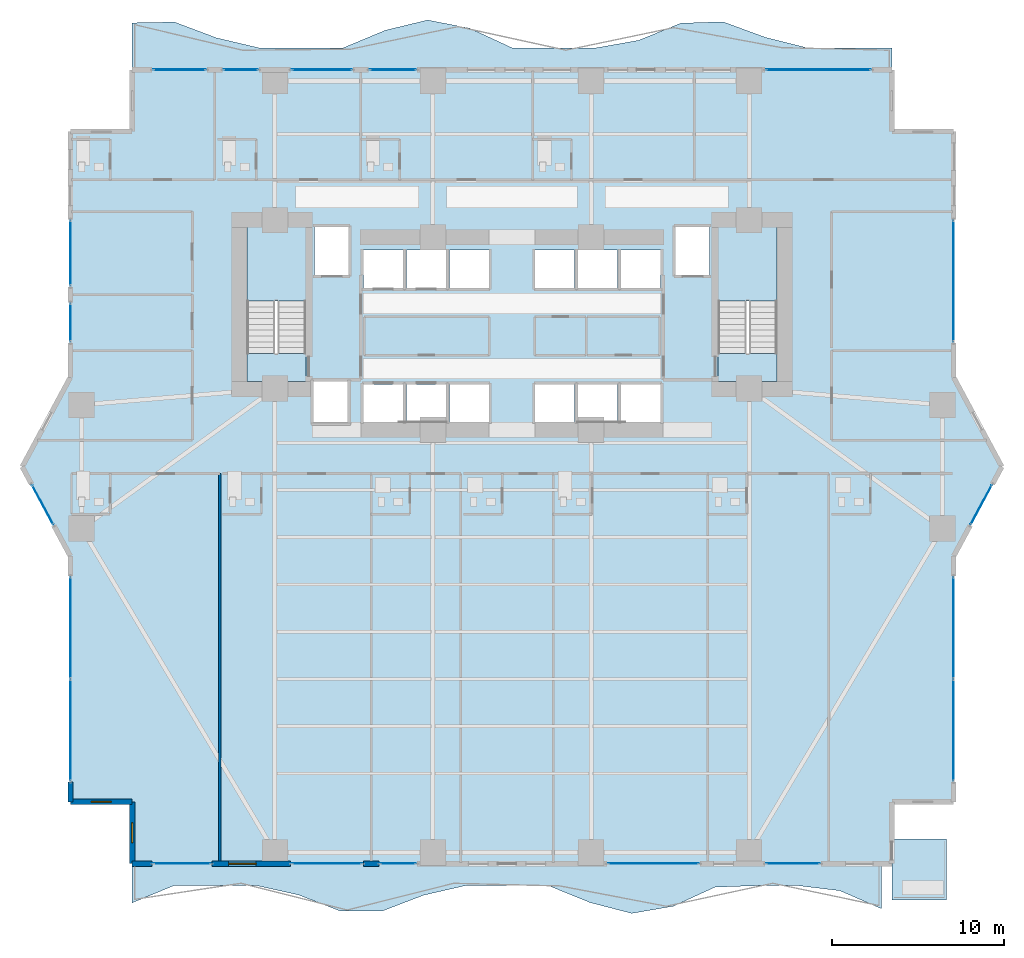
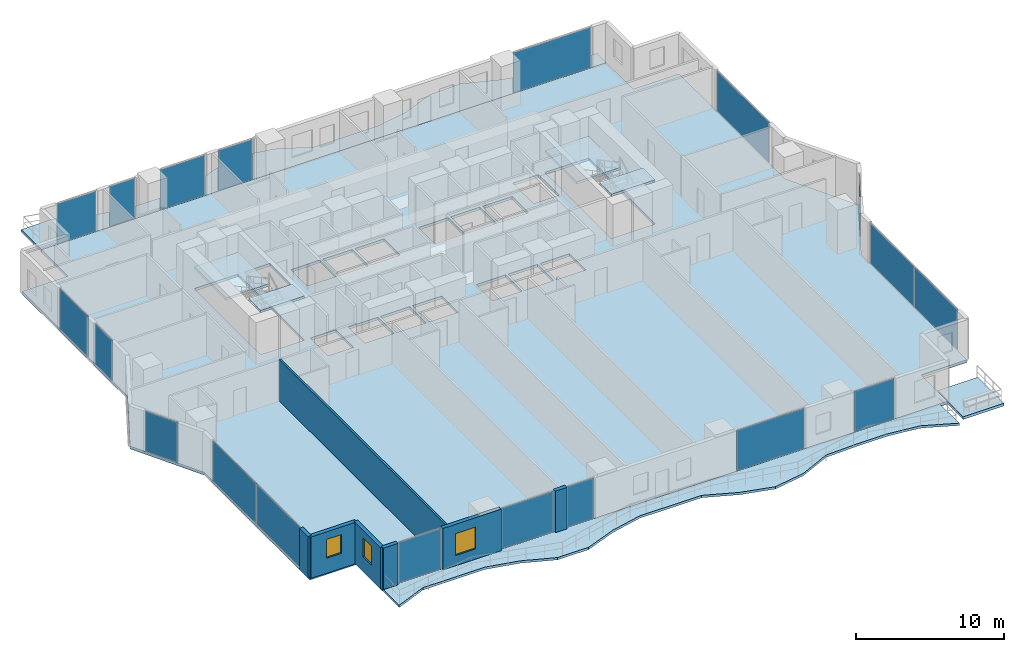
# One storey, part 17 of 29: 19 plates, 8 slabs, 7 walls, 3 windows, 3 openings, 19 elements without a shape of their own.
"""IFC4 building model written with IfcOpenShell, lengths in metres."""

from ifc_helpers import new_model, si_unit, direction, frame, frame_2d, origin, origin_2d, place, context, subcontext, project, spatial, polyline, rectangle, outline, extrude, material, layer, layer_set, type_object, element, fill, aggregate, save


model = new_model("IFC4")

# Units and contexts
model_context = context("Model", 3, precision=1e-05, world=origin(), true_north=direction((0.0, 1.0)))
body_context = subcontext(model_context, "Body", "Model", "MODEL_VIEW")
ifc_project = project(units=[si_unit("LENGTHUNIT", "METRE"), si_unit("AREAUNIT", "SQUARE_METRE"), si_unit("VOLUMEUNIT", "CUBIC_METRE"), si_unit("PLANEANGLEUNIT", "RADIAN"), si_unit("MASSUNIT", "GRAM", prefix="KILO")], contexts=[model_context])

# Site, building, storey
site_placement = place(None, origin())
site = spatial("IfcSite", under=ifc_project, at=site_placement, CompositionType="ELEMENT")
building_placement = place(site_placement, origin())
building = spatial("IfcBuilding", under=site, at=building_placement, Name="Zuhayl Quay Hotel", CompositionType="ELEMENT")
storey_placement = place(building_placement, frame((0.0, 0.0, 45.85009765625)))
storey = spatial("IfcBuildingStorey", under=building, at=storey_placement, Name="L10", CompositionType="ELEMENT", Elevation=45.85009765625)

# Curtain wall, plates
ifc_material_1 = material(Name="Anodised Aluminium 6063-T6", Category="aluminium")
ifc_layer_1 = layer(ifc_material_1, 0.18994140625, Name="Anodised Aluminium 6063-T6", Category="aluminium")
ifc_layer_set_1 = layer_set([ifc_layer_1], Name="Anodised Aluminium 6063-T6")
curtain_wall_type = type_object("IfcCurtainWallType", Name="CW_SYS_Z1", PredefinedType="USERDEFINED", material=ifc_layer_set_1)
curtain_wall_1_placement = place(storey_placement, origin())
curtain_wall_1 = element("IfcCurtainWall", 1, at=curtain_wall_1_placement, inside=storey, type_object=curtain_wall_type, Name="L10 Curtain Wall ENV_L10_E02_CW1", ObjectType="UNITISED CURTAIN WALL", PredefinedType="USERDEFINED")
ifc_material_2 = material(Name="Dark Ceramic-Fritted Solar Glass", Category="glass")
ifc_layer_2 = layer(ifc_material_2, 0.035888671875, Name="Dark Ceramic-Fritted Solar Glass", Category="glass")
ifc_layer_set_2 = layer_set([ifc_layer_2], Name="Dark Ceramic-Fritted Solar Glass")
plate_type = type_object("IfcPlateType", Name="PN_DARK_FRIT_Z1", PredefinedType="CURTAIN_PANEL", material=ifc_layer_set_2)
plate_1_placement = place(storey_placement, frame((-25.699951171875, -15.331298828125, 0.059814453125), z_axis=(0.0, 0.0, 1.0), x_axis=(0.0, 1.0, 0.0)))
plate_1 = element("IfcPlate", 2, at=plate_1_placement, type_object=plate_type, Name="CW-Z1 panel 1.1", PredefinedType="CURTAIN_PANEL", context=body_context, shape_type="SweptSolid", body=[
    extrude(rectangle(XDim=5.887451171875, YDim=0.035888671875, at=origin_2d()), origin(), (0.0, 0.0, 1.0), 3.31005859375),
])
plate_2_placement = place(storey_placement, frame((-25.699951171875, -9.36865234375, 0.059814453125), z_axis=(0.0, 0.0, 1.0), x_axis=(0.0, 1.0, 0.0)))
plate_2 = element("IfcPlate", 3, at=plate_2_placement, type_object=plate_type, Name="CW-Z1 panel 2.1", PredefinedType="CURTAIN_PANEL", context=body_context, shape_type="SweptSolid", body=[
    extrude(rectangle(XDim=5.887451171875, YDim=0.035888671875, at=origin_2d()), origin(), (0.0, 0.0, 1.0), 3.31005859375),
])
aggregate(curtain_wall_1, [plate_1, plate_2])

# Curtain wall, plate
curtain_wall_2_placement = place(storey_placement, origin())
curtain_wall_2 = element("IfcCurtainWall", 4, at=curtain_wall_2_placement, inside=storey, type_object=curtain_wall_type, Name="L10 Curtain Wall ENV_L10_E03_CW1", ObjectType="UNITISED CURTAIN WALL", PredefinedType="USERDEFINED")
plate_3_placement = place(storey_placement, frame((-27.306396484375, -2.216796875, 0.059814453125), z_axis=(0.0, 0.0, 1.0), x_axis=(-0.474091102632, 0.880475795468, 0.0)))
plate_3 = element("IfcPlate", 5, at=plate_3_placement, type_object=plate_type, Name="CW-Z1 panel 1.1", PredefinedType="CURTAIN_PANEL", context=body_context, shape_type="SweptSolid", body=[
    extrude(rectangle(XDim=2.58544921875, YDim=0.035888671875, at=origin_2d()), origin(), (0.0, 0.0, 1.0), 3.31005859375),
])
aggregate(curtain_wall_2, [plate_3])

curtain_wall_3_placement = place(storey_placement, origin())
curtain_wall_3 = element("IfcCurtainWall", 6, at=curtain_wall_3_placement, inside=storey, type_object=curtain_wall_type, Name="L10 Curtain Wall ENV_L10_E05_CW1", ObjectType="UNITISED CURTAIN WALL", PredefinedType="USERDEFINED")
plate_4_placement = place(storey_placement, frame((-25.699951171875, 8.385009765625, 0.059814453125), z_axis=(0.0, 0.0, 1.0), x_axis=(0.0, 1.0, 0.0)))
plate_4 = element("IfcPlate", 7, at=plate_4_placement, type_object=plate_type, Name="CW-Z1 panel 1.1", PredefinedType="CURTAIN_PANEL", context=body_context, shape_type="SweptSolid", body=[
    extrude(rectangle(XDim=2.219970703125, YDim=0.035888671875, at=origin_2d()), origin(), (0.0, 0.0, 1.0), 3.31005859375),
])
aggregate(curtain_wall_3, [plate_4])

curtain_wall_4_placement = place(storey_placement, origin())
curtain_wall_4 = element("IfcCurtainWall", 8, at=curtain_wall_4_placement, inside=storey, type_object=curtain_wall_type, Name="L10 Curtain Wall ENV_L10_E05_CW2", ObjectType="UNITISED CURTAIN WALL", PredefinedType="USERDEFINED")
plate_5_placement = place(storey_placement, frame((-25.699951171875, 12.43505859375, 0.059814453125), z_axis=(0.0, 0.0, 1.0), x_axis=(0.0, 1.0, 0.0)))
plate_5 = element("IfcPlate", 9, at=plate_5_placement, type_object=plate_type, Name="CW-Z1 panel 1.1", PredefinedType="CURTAIN_PANEL", context=body_context, shape_type="SweptSolid", body=[
    extrude(rectangle(XDim=3.780029296875, YDim=0.035888671875, at=origin_2d()), origin(), (0.0, 0.0, 1.0), 3.31005859375),
])
aggregate(curtain_wall_4, [plate_5])

curtain_wall_5_placement = place(storey_placement, origin())
curtain_wall_5 = element("IfcCurtainWall", 10, at=curtain_wall_5_placement, inside=storey, type_object=curtain_wall_type, Name="L10 Curtain Wall ENV_L10_N_CW1", ObjectType="UNITISED CURTAIN WALL", PredefinedType="USERDEFINED")
plate_6_placement = place(storey_placement, frame((-19.35009765625, 23.10009765625, 0.059814453125), z_axis=(0.0, 0.0, 1.0), x_axis=(1.0, 0.0, 0.0)))
plate_6 = element("IfcPlate", 11, at=plate_6_placement, type_object=plate_type, Name="CW-Z1 panel 1.1", PredefinedType="CURTAIN_PANEL", context=body_context, shape_type="SweptSolid", body=[
    extrude(rectangle(XDim=3.050048828125, YDim=0.035888671875, at=origin_2d()), origin(), (0.0, 0.0, 1.0), 3.31005859375),
])
aggregate(curtain_wall_5, [plate_6])

curtain_wall_6_placement = place(storey_placement, origin())
curtain_wall_6 = element("IfcCurtainWall", 12, at=curtain_wall_6_placement, inside=storey, type_object=curtain_wall_type, Name="L10 Curtain Wall ENV_L10_N_CW2", ObjectType="UNITISED CURTAIN WALL", PredefinedType="USERDEFINED")
plate_7_placement = place(storey_placement, frame((-15.784912109375, 23.10009765625, 0.059814453125), z_axis=(0.0, 0.0, 1.0), x_axis=(1.0, 0.0, 0.0)))
plate_7 = element("IfcPlate", 13, at=plate_7_placement, type_object=plate_type, Name="CW-Z1 panel 1.1", PredefinedType="CURTAIN_PANEL", context=body_context, shape_type="SweptSolid", body=[
    extrude(rectangle(XDim=1.97998046875, YDim=0.035888671875, at=origin_2d()), origin(), (0.0, 0.0, 1.0), 3.31005859375),
])
aggregate(curtain_wall_6, [plate_7])

curtain_wall_7_placement = place(storey_placement, origin())
curtain_wall_7 = element("IfcCurtainWall", 14, at=curtain_wall_7_placement, inside=storey, type_object=curtain_wall_type, Name="L10 Curtain Wall ENV_L10_N_CW3", ObjectType="UNITISED CURTAIN WALL", PredefinedType="USERDEFINED")
plate_8_placement = place(storey_placement, frame((-11.06494140625, 23.10009765625, 0.059814453125), z_axis=(0.0, 0.0, 1.0), x_axis=(1.0, 0.0, 0.0)))
plate_8 = element("IfcPlate", 15, at=plate_8_placement, type_object=plate_type, Name="CW-Z1 panel 1.1", PredefinedType="CURTAIN_PANEL", context=body_context, shape_type="SweptSolid", body=[
    extrude(rectangle(XDim=3.47998046875, YDim=0.035888671875, at=origin_2d()), origin(), (0.0, 0.0, 1.0), 3.31005859375),
])
aggregate(curtain_wall_7, [plate_8])

curtain_wall_8_placement = place(storey_placement, origin())
curtain_wall_8 = element("IfcCurtainWall", 16, at=curtain_wall_8_placement, inside=storey, type_object=curtain_wall_type, Name="L10 Curtain Wall ENV_L10_N_CW4", ObjectType="UNITISED CURTAIN WALL", PredefinedType="USERDEFINED")
plate_9_placement = place(storey_placement, frame((-6.93505859375, 23.10009765625, 0.059814453125), z_axis=(0.0, 0.0, 1.0), x_axis=(1.0, 0.0, 0.0)))
plate_9 = element("IfcPlate", 17, at=plate_9_placement, type_object=plate_type, Name="CW-Z1 panel 1.1", PredefinedType="CURTAIN_PANEL", context=body_context, shape_type="SweptSolid", body=[
    extrude(rectangle(XDim=2.679931640625, YDim=0.035888671875, at=origin_2d()), origin(), (0.0, 0.0, 1.0), 3.31005859375),
])
aggregate(curtain_wall_8, [plate_9])

curtain_wall_9_placement = place(storey_placement, origin())
curtain_wall_9 = element("IfcCurtainWall", 18, at=curtain_wall_9_placement, inside=storey, type_object=curtain_wall_type, Name="L10 Curtain Wall ENV_L10_N_CW5", ObjectType="UNITISED CURTAIN WALL", PredefinedType="USERDEFINED")
plate_10_placement = place(storey_placement, frame((17.8349609375, 23.10009765625, 0.059814453125), z_axis=(0.0, 0.0, 1.0), x_axis=(1.0, 0.0, 0.0)))
plate_10 = element("IfcPlate", 19, at=plate_10_placement, type_object=plate_type, Name="CW-Z1 panel 1.1", PredefinedType="CURTAIN_PANEL", context=body_context, shape_type="SweptSolid", body=[
    extrude(rectangle(XDim=6.080078125, YDim=0.035888671875, at=origin_2d()), origin(), (0.0, 0.0, 1.0), 3.31005859375),
])
aggregate(curtain_wall_9, [plate_10])

curtain_wall_10_placement = place(storey_placement, origin())
curtain_wall_10 = element("IfcCurtainWall", 20, at=curtain_wall_10_placement, inside=storey, type_object=curtain_wall_type, Name="L10 Curtain Wall ENV_L10_E11_CW1", ObjectType="UNITISED CURTAIN WALL", PredefinedType="USERDEFINED")
plate_11_placement = place(storey_placement, frame((25.699951171875, 10.800048828125, 0.059814453125), z_axis=(0.0, 0.0, 1.0), x_axis=(0.0, -1.0, 0.0)))
plate_11 = element("IfcPlate", 21, at=plate_11_placement, type_object=plate_type, Name="CW-Z1 panel 1.1", PredefinedType="CURTAIN_PANEL", context=body_context, shape_type="SweptSolid", body=[
    extrude(rectangle(XDim=7.050048828125, YDim=0.035888671875, at=origin_2d()), origin(), (0.0, 0.0, 1.0), 3.31005859375),
])
aggregate(curtain_wall_10, [plate_11])

curtain_wall_11_placement = place(storey_placement, origin())
curtain_wall_11 = element("IfcCurtainWall", 22, at=curtain_wall_11_placement, inside=storey, type_object=curtain_wall_type, Name="L10 Curtain Wall ENV_L10_E13_CW1", ObjectType="UNITISED CURTAIN WALL", PredefinedType="USERDEFINED")
plate_12_placement = place(storey_placement, frame((27.306396484375, -2.216796875, 0.059814453125), z_axis=(0.0, 0.0, 1.0), x_axis=(-0.474091102632, -0.880475795468, 0.0)))
plate_12 = element("IfcPlate", 23, at=plate_12_placement, type_object=plate_type, Name="CW-Z1 panel 1.1", PredefinedType="CURTAIN_PANEL", context=body_context, shape_type="SweptSolid", body=[
    extrude(rectangle(XDim=2.58544921875, YDim=0.035888671875, at=origin_2d()), origin(), (0.0, 0.0, 1.0), 3.31005859375),
])
aggregate(curtain_wall_11, [plate_12])

# Curtain wall, plates
curtain_wall_12_placement = place(storey_placement, origin())
curtain_wall_12 = element("IfcCurtainWall", 24, at=curtain_wall_12_placement, inside=storey, type_object=curtain_wall_type, Name="L10 Curtain Wall ENV_L10_E14_CW1", ObjectType="UNITISED CURTAIN WALL", PredefinedType="USERDEFINED")
plate_13_placement = place(storey_placement, frame((25.699951171875, -9.36865234375, 0.059814453125), z_axis=(0.0, 0.0, 1.0), x_axis=(0.0, -1.0, 0.0)))
plate_13 = element("IfcPlate", 25, at=plate_13_placement, type_object=plate_type, Name="CW-Z1 panel 1.1", PredefinedType="CURTAIN_PANEL", context=body_context, shape_type="SweptSolid", body=[
    extrude(rectangle(XDim=5.887451171875, YDim=0.035888671875, at=origin_2d()), origin(), (0.0, 0.0, 1.0), 3.31005859375),
])
plate_14_placement = place(storey_placement, frame((25.699951171875, -15.331298828125, 0.059814453125), z_axis=(0.0, 0.0, 1.0), x_axis=(0.0, -1.0, 0.0)))
plate_14 = element("IfcPlate", 26, at=plate_14_placement, type_object=plate_type, Name="CW-Z1 panel 2.1", PredefinedType="CURTAIN_PANEL", context=body_context, shape_type="SweptSolid", body=[
    extrude(rectangle(XDim=5.887451171875, YDim=0.035888671875, at=origin_2d()), origin(), (0.0, 0.0, 1.0), 3.31005859375),
])
aggregate(curtain_wall_12, [plate_13, plate_14])

# Curtain wall, plate
curtain_wall_13_placement = place(storey_placement, origin())
curtain_wall_13 = element("IfcCurtainWall", 27, at=curtain_wall_13_placement, inside=storey, type_object=curtain_wall_type, Name="L10 Curtain Wall ENV_L10_S_CW1", ObjectType="UNITISED CURTAIN WALL", PredefinedType="USERDEFINED")
plate_15_placement = place(storey_placement, frame((16.35498046875, -23.10009765625, 0.059814453125), z_axis=(0.0, 0.0, 1.0), x_axis=(-1.0, 0.0, 0.0)))
plate_15 = element("IfcPlate", 28, at=plate_15_placement, type_object=plate_type, Name="CW-Z1 panel 1.1", PredefinedType="CURTAIN_PANEL", context=body_context, shape_type="SweptSolid", body=[
    extrude(rectangle(XDim=3.1201171875, YDim=0.035888671875, at=origin_2d()), origin(), (0.0, 0.0, 1.0), 3.31005859375),
])
aggregate(curtain_wall_13, [plate_15])

curtain_wall_14_placement = place(storey_placement, origin())
curtain_wall_14 = element("IfcCurtainWall", 29, at=curtain_wall_14_placement, inside=storey, type_object=curtain_wall_type, Name="L10 Curtain Wall ENV_L10_S_CW2", ObjectType="UNITISED CURTAIN WALL", PredefinedType="USERDEFINED")
plate_16_placement = place(storey_placement, frame((8.235107421875, -23.10009765625, 0.059814453125), z_axis=(0.0, 0.0, 1.0), x_axis=(-1.0, 0.0, 0.0)))
plate_16 = element("IfcPlate", 30, at=plate_16_placement, type_object=plate_type, Name="CW-Z1 panel 1.1", PredefinedType="CURTAIN_PANEL", context=body_context, shape_type="SweptSolid", body=[
    extrude(rectangle(XDim=5.280029296875, YDim=0.035888671875, at=origin_2d()), origin(), (0.0, 0.0, 1.0), 3.31005859375),
])
aggregate(curtain_wall_14, [plate_16])

curtain_wall_15_placement = place(storey_placement, origin())
curtain_wall_15 = element("IfcCurtainWall", 31, at=curtain_wall_15_placement, inside=storey, type_object=curtain_wall_type, Name="L10 Curtain Wall ENV_L10_S_CW3", ObjectType="UNITISED CURTAIN WALL", PredefinedType="USERDEFINED")
plate_17_placement = place(storey_placement, frame((-6.635009765625, -23.10009765625, 0.059814453125), z_axis=(0.0, 0.0, 1.0), x_axis=(-1.0, 0.0, 0.0)))
plate_17 = element("IfcPlate", 32, at=plate_17_placement, type_object=plate_type, Name="CW-Z1 panel 1.1", PredefinedType="CURTAIN_PANEL", context=body_context, shape_type="SweptSolid", body=[
    extrude(rectangle(XDim=2.080078125, YDim=0.035888671875, at=origin_2d()), origin(), (0.0, 0.0, 1.0), 3.31005859375),
])
aggregate(curtain_wall_15, [plate_17])

curtain_wall_16_placement = place(storey_placement, origin())
curtain_wall_16 = element("IfcCurtainWall", 33, at=curtain_wall_16_placement, inside=storey, type_object=curtain_wall_type, Name="L10 Curtain Wall ENV_L10_S_CW4", ObjectType="UNITISED CURTAIN WALL", PredefinedType="USERDEFINED")
plate_18_placement = place(storey_placement, frame((-10.764892578125, -23.10009765625, 0.059814453125), z_axis=(0.0, 0.0, 1.0), x_axis=(-1.0, 0.0, 0.0)))
plate_18 = element("IfcPlate", 34, at=plate_18_placement, type_object=plate_type, Name="CW-Z1 panel 1.1", PredefinedType="CURTAIN_PANEL", context=body_context, shape_type="SweptSolid", body=[
    extrude(rectangle(XDim=4.080078125, YDim=0.035888671875, at=origin_2d()), origin(), (0.0, 0.0, 1.0), 3.31005859375),
])
aggregate(curtain_wall_16, [plate_18])

curtain_wall_17_placement = place(storey_placement, origin())
curtain_wall_17 = element("IfcCurtainWall", 35, at=curtain_wall_17_placement, inside=storey, type_object=curtain_wall_type, Name="L10 Curtain Wall ENV_L10_S_CW5", ObjectType="UNITISED CURTAIN WALL", PredefinedType="USERDEFINED")
plate_19_placement = place(storey_placement, frame((-19.199951171875, -23.10009765625, 0.059814453125), z_axis=(0.0, 0.0, 1.0), x_axis=(-1.0, 0.0, 0.0)))
plate_19 = element("IfcPlate", 36, at=plate_19_placement, type_object=plate_type, Name="CW-Z1 panel 1.1", PredefinedType="CURTAIN_PANEL", context=body_context, shape_type="SweptSolid", body=[
    extrude(rectangle(XDim=3.35009765625, YDim=0.035888671875, at=origin_2d()), origin(), (0.0, 0.0, 1.0), 3.31005859375),
])
aggregate(curtain_wall_17, [plate_19])

# Slabs
ifc_material_3 = material(Name="Concrete C45/55", Category="concrete")
ifc_layer_3 = layer(ifc_material_3, 0.195068359375, Name="Concrete C45/55", Category="concrete")
ifc_layer_set_3 = layer_set([ifc_layer_3], Name="Concrete C45/55")
slab_type_1 = type_object("IfcSlabType", Name="SL_BALCONY_195", PredefinedType="FLOOR", material=ifc_layer_set_3)
slab_1_placement = place(storey_placement, frame((0.0, 0.0, -0.195068359375)))
element("IfcSlab", 37, at=slab_1_placement, inside=storey, type_object=slab_type_1, Name="L10 Exterior Rippling Balcony Slab North", PredefinedType="FLOOR", context=body_context, shape_type="SweptSolid", body=[
    extrude(outline(polyline([(-22.10009765625, 23.10009765625), (22.10009765625, 23.10009765625), (22.10009765625, 24.3798828125), (19.644287109375, 24.3798828125), (17.18896484375, 24.3798828125), (14.7333984375, 24.993896484375), (12.27783203125, 25.896240234375), (9.822265625, 25.81298828125), (7.36669921875, 24.8154296875), (4.9111328125, 24.3798828125), (2.45556640625, 24.3798828125), (0.0, 24.3798828125), (-2.45556640625, 25.51953125), (-4.9111328125, 25.998046875), (-7.36669921875, 25.403076171875), (-9.822265625, 24.3798828125), (-12.27783203125, 24.3798828125), (-14.7333984375, 24.3798828125), (-17.18896484375, 24.956298828125), (-19.644287109375, 25.880615234375), (-22.10009765625, 25.83251953125), (-22.10009765625, 23.10009765625)])), origin(), (0.0, 0.0, 1.0), 0.195068359375),
])
slab_2_placement = place(storey_placement, frame((0.0, 0.0, -0.195068359375)))
element("IfcSlab", 38, at=slab_2_placement, inside=storey, type_object=slab_type_1, Name="L10 Exterior Rippling Balcony Slab South", PredefinedType="FLOOR", context=body_context, shape_type="SweptSolid", body=[
    extrude(outline(polyline([(-22.10009765625, -25.375), (-19.677734375, -24.3798828125), (-17.255615234375, -24.3798828125), (-14.833251953125, -24.3798828125), (-12.4111328125, -24.924072265625), (-9.989013671875, -25.85888671875), (-7.566650390625, -25.86376953125), (-5.144287109375, -24.934814453125), (-2.72216796875, -24.3798828125), (-0.300048828125, -24.3798828125), (2.122314453125, -24.3798828125), (4.54443359375, -25.365478515625), (6.966796875, -25.9931640625), (9.388916015625, -25.578369140625), (11.81103515625, -24.46875), (14.2333984375, -24.3798828125), (16.655517578125, -24.3798828125), (19.077880859375, -24.673583984375), (21.5, -25.721435546875), (21.5, -23.10009765625), (-22.10009765625, -23.10009765625), (-22.10009765625, -25.375)])), origin(), (0.0, 0.0, 1.0), 0.195068359375),
])
ifc_layer_4 = layer(ifc_material_3, 0.219970703125, Name="Concrete C45/55", Category="concrete")
ifc_layer_set_4 = layer_set([ifc_layer_4], Name="Concrete C45/55")
slab_type_2 = type_object("IfcSlabType", Name="SL_FLOOR_220", PredefinedType="FLOOR", material=ifc_layer_set_4)
slab_3_placement = place(storey_placement, frame((0.0, 0.0, -0.22021484375)))
element("IfcSlab", 39, at=slab_3_placement, inside=storey, type_object=slab_type_2, Name="L10 Structural Floor Slab", PredefinedType="FLOOR", context=body_context, shape_type="SweptSolid", body=[
    extrude(outline(polyline([(-22.10009765625, -23.10009765625), (22.10009765625, -23.10009765625), (22.10009765625, -19.5), (25.699951171875, -19.5), (25.699951171875, -5.199951171875), (28.5, 0.0), (25.699951171875, 5.199951171875), (25.699951171875, 19.5), (22.10009765625, 19.5), (22.10009765625, 23.10009765625), (-22.10009765625, 23.10009765625), (-22.10009765625, 19.5), (-25.699951171875, 19.5), (-25.699951171875, 5.199951171875), (-28.5, 0.0), (-25.699951171875, -5.199951171875), (-25.699951171875, -19.5), (-22.10009765625, -19.5), (-22.10009765625, -23.10009765625)]), holes=[polyline([(-12.0, 4.949951171875), (-12.0, 13.949951171875), (-15.429931640625, 13.949951171875), (-15.429931640625, 4.949951171875), (-12.0, 4.949951171875)]), polyline([(15.429931640625, 4.949951171875), (15.429931640625, 13.949951171875), (12.0, 13.949951171875), (12.0, 4.949951171875), (15.429931640625, 4.949951171875)]), polyline([(-11.5, 11.14990234375), (-9.5, 11.14990234375), (-9.5, 13.949951171875), (-11.5, 13.949951171875), (-11.5, 11.14990234375)]), polyline([(9.5, 11.14990234375), (11.5, 11.14990234375), (11.5, 13.949951171875), (9.5, 13.949951171875), (9.5, 11.14990234375)]), polyline([(-8.64990234375, 2.60009765625), (-6.35009765625, 2.60009765625), (-6.35009765625, 4.800048828125), (-8.64990234375, 4.800048828125), (-8.64990234375, 2.60009765625)]), polyline([(-6.14990234375, 2.60009765625), (-3.85009765625, 2.60009765625), (-3.85009765625, 4.800048828125), (-6.14990234375, 4.800048828125), (-6.14990234375, 2.60009765625)]), polyline([(-8.64990234375, 10.39990234375), (-6.35009765625, 10.39990234375), (-6.35009765625, 12.60009765625), (-8.64990234375, 12.60009765625), (-8.64990234375, 10.39990234375)]), polyline([(-6.14990234375, 10.39990234375), (-3.85009765625, 10.39990234375), (-3.85009765625, 12.60009765625), (-6.14990234375, 12.60009765625), (-6.14990234375, 10.39990234375)]), polyline([(-3.64990234375, 2.60009765625), (-1.35009765625, 2.60009765625), (-1.35009765625, 4.800048828125), (-3.64990234375, 4.800048828125), (-3.64990234375, 2.60009765625)]), polyline([(1.35009765625, 2.60009765625), (3.64990234375, 2.60009765625), (3.64990234375, 4.800048828125), (1.35009765625, 4.800048828125), (1.35009765625, 2.60009765625)]), polyline([(-3.64990234375, 10.39990234375), (-1.35009765625, 10.39990234375), (-1.35009765625, 12.60009765625), (-3.64990234375, 12.60009765625), (-3.64990234375, 10.39990234375)]), polyline([(1.35009765625, 10.39990234375), (3.64990234375, 10.39990234375), (3.64990234375, 12.60009765625), (1.35009765625, 12.60009765625), (1.35009765625, 10.39990234375)]), polyline([(3.85009765625, 2.60009765625), (6.14990234375, 2.60009765625), (6.14990234375, 4.800048828125), (3.85009765625, 4.800048828125), (3.85009765625, 2.60009765625)]), polyline([(6.35009765625, 2.60009765625), (8.64990234375, 2.60009765625), (8.64990234375, 4.800048828125), (6.35009765625, 4.800048828125), (6.35009765625, 2.60009765625)]), polyline([(3.85009765625, 10.39990234375), (6.14990234375, 10.39990234375), (6.14990234375, 12.60009765625), (3.85009765625, 12.60009765625), (3.85009765625, 10.39990234375)]), polyline([(6.35009765625, 10.39990234375), (8.64990234375, 10.39990234375), (8.64990234375, 12.60009765625), (6.35009765625, 12.60009765625), (6.35009765625, 10.39990234375)]), polyline([(-11.550048828125, 2.550048828125), (-9.550048828125, 2.550048828125), (-9.550048828125, 4.949951171875), (-11.550048828125, 4.949951171875), (-11.550048828125, 2.550048828125)])]), origin(), (0.0, 0.0, 1.0), 0.22021484375),
])

# Stair, slabs
stair_type = type_object("IfcStairType", Name="ST_DOGLEG_TOWER", PredefinedType="HALF_TURN_STAIR", material=ifc_material_3)
stair_1_placement = place(storey_placement, origin())
stair_1 = element("IfcStair", 40, at=stair_1_placement, inside=storey, type_object=stair_type, Name="L10 Smokeproof Exit Stair ST1", PredefinedType="HALF_TURN_STAIR")
ifc_layer_5 = layer(ifc_material_3, 0.199951171875, Name="Concrete C45/55", Category="concrete")
ifc_layer_set_5 = layer_set([ifc_layer_5], Name="Concrete C45/55")
slab_type_3 = type_object("IfcSlabType", Name="SL_STAIR_LANDING_200", PredefinedType="LANDING", material=ifc_layer_set_5)
slab_4_placement = place(storey_placement, frame((0.0, 0.0, 1.625)))
slab_4 = element("IfcSlab", 41, at=slab_4_placement, type_object=slab_type_3, Name="ST1 landing 1", PredefinedType="LANDING", context=body_context, shape_type="SweptSolid", body=[
    extrude(outline(polyline([(-12.0, 9.64990234375), (-12.0, 13.949951171875), (-15.429931640625, 13.949951171875), (-15.429931640625, 9.64990234375), (-12.0, 9.64990234375)])), origin(), (0.0, 0.0, 1.0), 0.199951171875),
])
slab_5_placement = place(storey_placement, frame((0.0, 0.0, 3.449951171875)))
slab_5 = element("IfcSlab", 42, at=slab_5_placement, type_object=slab_type_3, Name="ST1 landing 2", PredefinedType="LANDING", context=body_context, shape_type="SweptSolid", body=[
    extrude(outline(polyline([(-12.0, 4.949951171875), (-12.0, 6.590087890625), (-15.429931640625, 6.590087890625), (-15.429931640625, 4.949951171875), (-12.0, 4.949951171875)])), origin(), (0.0, 0.0, 1.0), 0.199951171875),
])
aggregate(stair_1, [slab_4, slab_5])

stair_2_placement = place(storey_placement, origin())
stair_2 = element("IfcStair", 43, at=stair_2_placement, inside=storey, type_object=stair_type, Name="L10 Smokeproof Exit Stair ST2", PredefinedType="HALF_TURN_STAIR")
slab_6_placement = place(storey_placement, frame((0.0, 0.0, 1.625)))
slab_6 = element("IfcSlab", 44, at=slab_6_placement, type_object=slab_type_3, Name="ST2 landing 1", PredefinedType="LANDING", context=body_context, shape_type="SweptSolid", body=[
    extrude(outline(polyline([(15.429931640625, 9.64990234375), (15.429931640625, 13.949951171875), (12.0, 13.949951171875), (12.0, 9.64990234375), (15.429931640625, 9.64990234375)])), origin(), (0.0, 0.0, 1.0), 0.199951171875),
])
slab_7_placement = place(storey_placement, frame((0.0, 0.0, 3.449951171875)))
slab_7 = element("IfcSlab", 45, at=slab_7_placement, type_object=slab_type_3, Name="ST2 landing 2", PredefinedType="LANDING", context=body_context, shape_type="SweptSolid", body=[
    extrude(outline(polyline([(15.429931640625, 4.949951171875), (15.429931640625, 6.590087890625), (12.0, 6.590087890625), (12.0, 4.949951171875), (15.429931640625, 4.949951171875)])), origin(), (0.0, 0.0, 1.0), 0.199951171875),
])
aggregate(stair_2, [slab_6, slab_7])

# Slab
ifc_layer_6 = layer(ifc_material_3, 0.219970703125, Name="Concrete C45/55", Category="concrete")
ifc_layer_set_6 = layer_set([ifc_layer_6], Name="Concrete C45/55")
slab_type_4 = type_object("IfcSlabType", Name="SL_TERRACE_235", PredefinedType="FLOOR", material=ifc_layer_set_6)
slab_8_placement = place(storey_placement, frame((0.0, 0.0, -0.22021484375)))
element("IfcSlab", 46, at=slab_8_placement, inside=storey, type_object=slab_type_4, Name="L10 Exterior Sky-Terrace Slab L10_SPIRAL_SE", PredefinedType="FLOOR", context=body_context, shape_type="SweptSolid", body=[
    extrude(outline(polyline([(22.10009765625, -25.199951171875), (25.300048828125, -25.199951171875), (25.300048828125, -21.64990234375), (22.10009765625, -21.64990234375), (22.10009765625, -25.199951171875)])), origin(), (0.0, 0.0, 1.0), 0.22021484375),
])

# Wall, opening, window
ifc_material_4 = material(Name="Precast concrete C45/55", Category="concrete")
ifc_layer_7 = layer(ifc_material_4, 0.300048828125, Name="Precast concrete C45/55", Category="concrete")
ifc_layer_set_7 = layer_set([ifc_layer_7], Name="Precast concrete C45/55")
wall_type_1 = type_object("IfcWallType", Name="WL_EXT_300", PredefinedType="STANDARD", material=ifc_layer_set_7)
wall_1_placement = place(storey_placement, frame((-22.10009765625, -19.5, 0.0), z_axis=(0.0, 0.0, 1.0), x_axis=(-1.0, 0.0, 0.0)))
wall_1 = element("IfcWall", 47, at=wall_1_placement, inside=storey, type_object=wall_type_1, Name="L10 Exterior Precast Wall ENV_L10_EW01", PredefinedType="STANDARD", context=body_context, shape_type="SweptSolid", body=[
    extrude(rectangle(XDim=3.599853515625, YDim=0.300048828125, at=frame_2d((1.7998046875, 0.0))), origin(), (0.0, 0.0, 1.0), 3.429931640625),
])
opening_1_placement = place(wall_1_placement, frame((1.22509765625, 0.0, 1.25)))
opening_1 = element("IfcOpeningElement", 48, at=opening_1_placement, cuts=wall_1, Name="Opening W01N", PredefinedType="OPENING", context=body_context, shape_type="SweptSolid", body=[
    extrude(rectangle(XDim=1.14990234375, YDim=1.550048828125, at=frame_2d((0.574951171875, 0.77490234375))), frame((0.0, 0.159912109375, 0.0), z_axis=(0.0, -1.0, 0.0), x_axis=(1.0, 0.0, 0.0)), (0.0, 0.0, 1.0), 0.320068359375),
])
window_type_1 = type_object("IfcWindowType", Name="WN_NOTCH_1350", PartitioningType="SINGLE_PANEL", PredefinedType="WINDOW", material=ifc_material_2)
window_1_placement = place(opening_1_placement, origin())
window_1 = element("IfcWindow", 49, at=window_1_placement, inside=storey, type_object=window_type_1, Name="L10 Corner Notch Window 1", OverallHeight=1.550048828125, OverallWidth=1.14990234375, PartitioningType="SINGLE_PANEL", PredefinedType="WINDOW", context=body_context, shape_type="SweptSolid", body=[
    extrude(rectangle(XDim=1.14990234375, YDim=1.550048828125, at=frame_2d((0.574951171875, 0.77490234375))), frame((0.0, 0.030029296875, 0.0), z_axis=(0.0, -1.0, 0.0), x_axis=(1.0, 0.0, 0.0)), (0.0, 0.0, 1.0), 0.06005859375),
])
fill(opening_1, window_1)

# Walls
wall_2_placement = place(storey_placement, frame((-25.699951171875, -19.5, 0.0), z_axis=(0.0, 0.0, 1.0), x_axis=(0.0, 1.0, 0.0)))
element("IfcWall", 50, at=wall_2_placement, inside=storey, type_object=wall_type_1, Name="L10 Exterior Precast Wall ENV_L10_E02_EW1", PredefinedType="STANDARD", context=body_context, shape_type="SweptSolid", body=[
    extrude(rectangle(XDim=1.14990234375, YDim=0.300048828125, at=frame_2d((0.574951171875, 0.0))), origin(), (0.0, 0.0, 1.0), 3.429931640625),
])
wall_3_placement = place(storey_placement, frame((-7.75, -23.10009765625, 0.0), z_axis=(0.0, 0.0, 1.0), x_axis=(-1.0, 0.0, 0.0)))
element("IfcWall", 51, at=wall_3_placement, inside=storey, type_object=wall_type_1, Name="L10 Exterior Precast Wall ENV_L10_S_EW4", PredefinedType="STANDARD", context=body_context, shape_type="SweptSolid", body=[
    extrude(rectangle(XDim=0.89990234375, YDim=0.300048828125, at=frame_2d((0.449951171875, 0.0))), origin(), (0.0, 0.0, 1.0), 3.429931640625),
])

# Wall, opening, window
wall_4_placement = place(storey_placement, frame((-12.8798828125, -23.10009765625, 0.0), z_axis=(0.0, 0.0, 1.0), x_axis=(-1.0, 0.0, 0.0)))
wall_4 = element("IfcWall", 52, at=wall_4_placement, inside=storey, type_object=wall_type_1, Name="L10 Exterior Precast Wall ENV_L10_S_EW5", PredefinedType="STANDARD", context=body_context, shape_type="SweptSolid", body=[
    extrude(rectangle(XDim=4.570068359375, YDim=0.300048828125, at=frame_2d((2.28515625, 0.0))), origin(), (0.0, 0.0, 1.0), 3.429931640625),
])
opening_2_placement = place(wall_4_placement, frame((2.010009765625, 0.0, 0.85009765625)))
opening_2 = element("IfcOpeningElement", 53, at=opening_2_placement, cuts=wall_4, Name="Opening W01", PredefinedType="OPENING", context=body_context, shape_type="SweptSolid", body=[
    extrude(rectangle(XDim=1.60009765625, YDim=1.800048828125, at=frame_2d((0.800048828125, 0.89990234375))), frame((0.0, 0.159912109375, 0.0), z_axis=(0.0, -1.0, 0.0), x_axis=(1.0, 0.0, 0.0)), (0.0, 0.0, 1.0), 0.320068359375),
])
window_type_2 = type_object("IfcWindowType", Name="WN_OPERABLE_1600", PartitioningType="DOUBLE_PANEL_VERTICAL", PredefinedType="WINDOW", material=ifc_material_2)
window_2_placement = place(opening_2_placement, origin())
window_2 = element("IfcWindow", 54, at=window_2_placement, inside=storey, type_object=window_type_2, Name="L10 Operable Facade Window 5-1", OverallHeight=1.800048828125, OverallWidth=1.60009765625, PartitioningType="SINGLE_PANEL", PredefinedType="WINDOW", context=body_context, shape_type="SweptSolid", body=[
    extrude(rectangle(XDim=1.60009765625, YDim=1.800048828125, at=frame_2d((0.800048828125, 0.89990234375))), frame((0.0, 0.030029296875, 0.0), z_axis=(0.0, -1.0, 0.0), x_axis=(1.0, 0.0, 0.0)), (0.0, 0.0, 1.0), 0.06005859375),
])
fill(opening_2, window_2)

# Wall
wall_5_placement = place(storey_placement, frame((-20.949951171875, -23.10009765625, 0.0), z_axis=(0.0, 0.0, 1.0), x_axis=(-1.0, 0.0, 0.0)))
element("IfcWall", 55, at=wall_5_placement, inside=storey, type_object=wall_type_1, Name="L10 Exterior Precast Wall ENV_L10_S_EW6", PredefinedType="STANDARD", context=body_context, shape_type="SweptSolid", body=[
    extrude(rectangle(XDim=1.150146484375, YDim=0.300048828125, at=frame_2d((0.5751953125, 0.0))), origin(), (0.0, 0.0, 1.0), 3.429931640625),
])

# Wall, opening, window
wall_6_placement = place(storey_placement, frame((-22.10009765625, -23.10009765625, 0.0), z_axis=(0.0, 0.0, 1.0), x_axis=(0.0, 1.0, 0.0)))
wall_6 = element("IfcWall", 56, at=wall_6_placement, inside=storey, type_object=wall_type_1, Name="L10 Exterior Precast Wall ENV_L10_EW18", PredefinedType="STANDARD", context=body_context, shape_type="SweptSolid", body=[
    extrude(rectangle(XDim=3.60009765625, YDim=0.300048828125, at=frame_2d((1.800048828125, 0.0))), origin(), (0.0, 0.0, 1.0), 3.429931640625),
])
opening_3_placement = place(wall_6_placement, frame((1.22509765625, 0.0, 1.25)))
opening_3 = element("IfcOpeningElement", 57, at=opening_3_placement, cuts=wall_6, Name="Opening W01N", PredefinedType="OPENING", context=body_context, shape_type="SweptSolid", body=[
    extrude(rectangle(XDim=1.14990234375, YDim=1.550048828125, at=frame_2d((0.574951171875, 0.77490234375))), frame((0.0, 0.159912109375, 0.0), z_axis=(0.0, -1.0, 0.0), x_axis=(1.0, 0.0, 0.0)), (0.0, 0.0, 1.0), 0.320068359375),
])
window_3_placement = place(opening_3_placement, origin())
window_3 = element("IfcWindow", 58, at=window_3_placement, inside=storey, type_object=window_type_1, Name="L10 Corner Notch Window 18", OverallHeight=1.550048828125, OverallWidth=1.14990234375, PartitioningType="SINGLE_PANEL", PredefinedType="WINDOW", context=body_context, shape_type="SweptSolid", body=[
    extrude(rectangle(XDim=1.14990234375, YDim=1.550048828125, at=frame_2d((0.574951171875, 0.77490234375))), frame((0.0, 0.030029296875, 0.0), z_axis=(0.0, -1.0, 0.0), x_axis=(1.0, 0.0, 0.0)), (0.0, 0.0, 1.0), 0.06005859375),
])
fill(opening_3, window_3)

# Wall
ifc_material_5 = material(Name="Acoustic Gypsum Partition STC-58")
ifc_layer_8 = layer(ifc_material_5, 0.14990234375, Name="Acoustic Gypsum Partition STC-58")
ifc_layer_set_8 = layer_set([ifc_layer_8], Name="Acoustic Gypsum Partition STC-58")
wall_type_2 = type_object("IfcWallType", Name="WL_PART_150", PredefinedType="PARTITIONING", material=ifc_layer_set_8)
wall_7_placement = place(storey_placement, frame((-17.0, -23.02001953125, 0.0), z_axis=(0.0, 0.0, 1.0), x_axis=(0.0, 1.0, 0.0)))
element("IfcWall", 59, at=wall_7_placement, inside=storey, type_object=wall_type_2, Name="L10 Partition IW_L10_SU01A_E", PredefinedType="PARTITIONING", context=body_context, shape_type="SweptSolid", body=[
    extrude(rectangle(XDim=22.6201171875, YDim=0.14990234375, at=frame_2d((11.31005859375, 0.0))), origin(), (0.0, 0.0, 1.0), 3.429931640625),
])

save(model, "model.ifc")
